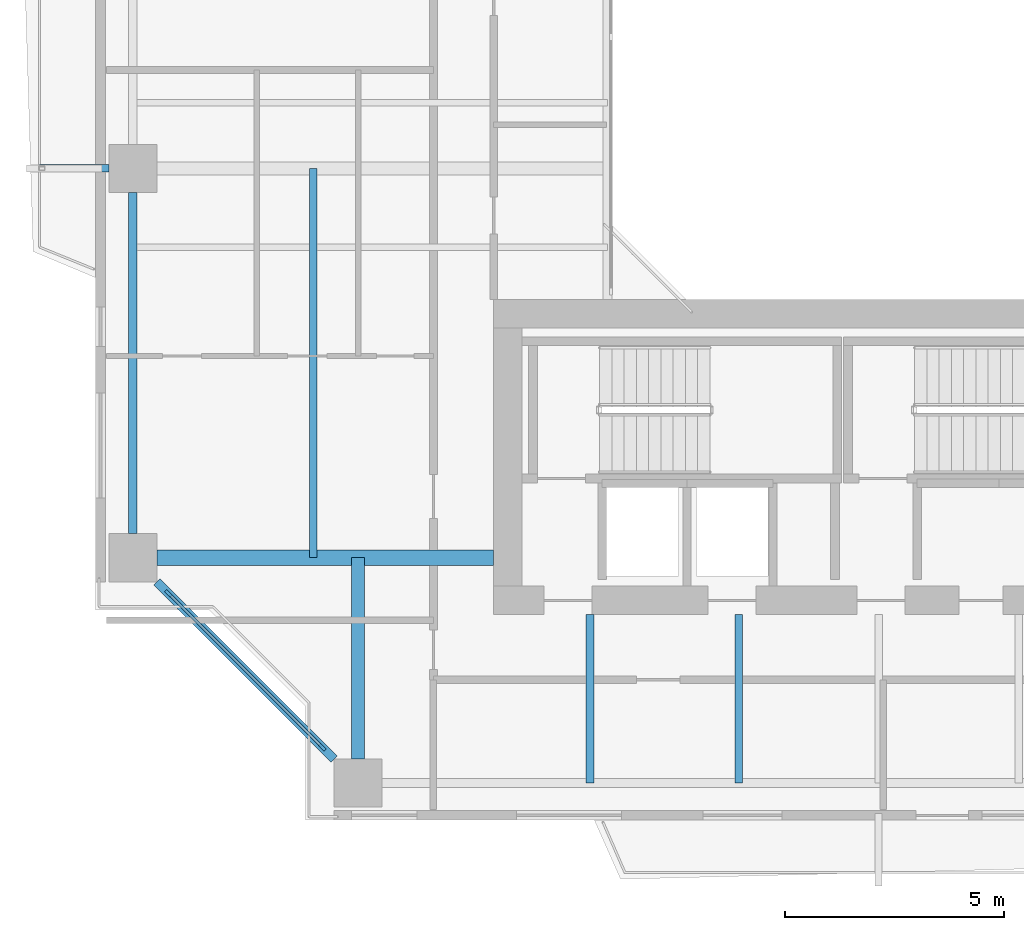
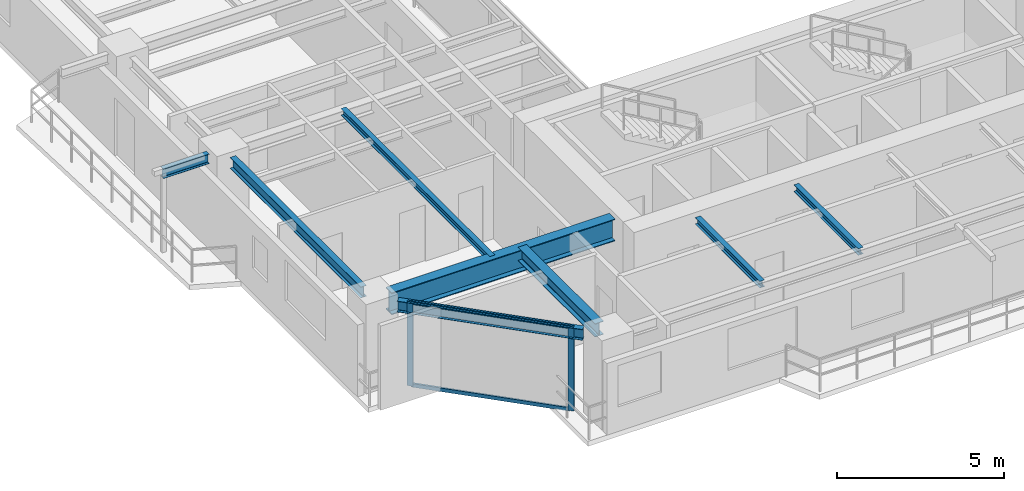
# One storey, part 2 of 23: 8 beams, 4 members, 1 element without a shape of its own.
"""IFC4 building model written with IfcOpenShell, lengths in metres."""

from ifc_helpers import new_model, si_unit, direction, frame, origin, origin_2d, place, context, subcontext, project, spatial, rectangle, i_section, extrude, source, transform, mapped, material, layer, layer_set, material_profile, profile_set, type_object, element, aggregate, save


model = new_model("IFC4")

# Units and contexts
model_context = context("Model", 3, precision=1e-05, world=origin(), true_north=direction((0.0, 1.0)))
body_context = subcontext(model_context, "Body", "Model", "MODEL_VIEW")
ifc_project = project(units=[si_unit("LENGTHUNIT", "METRE"), si_unit("AREAUNIT", "SQUARE_METRE"), si_unit("VOLUMEUNIT", "CUBIC_METRE"), si_unit("PLANEANGLEUNIT", "RADIAN"), si_unit("MASSUNIT", "GRAM", prefix="KILO"), si_unit("THERMODYNAMICTEMPERATUREUNIT", "KELVIN"), si_unit("POWERUNIT", "WATT")], contexts=[model_context])

# Site, building, storey
site_placement = place(None, origin())
site = spatial("IfcSite", under=ifc_project, at=site_placement, CompositionType="ELEMENT")
building_placement = place(site_placement, origin())
building = spatial("IfcBuilding", under=site, at=building_placement, Name="Qiaomeng Ring Towers", CompositionType="ELEMENT")
storey_placement = place(building_placement, frame((0.0, 0.0, 100.25)))
storey = spatial("IfcBuildingStorey", under=building, at=storey_placement, Name="L28", CompositionType="ELEMENT", Elevation=100.25)

# Beams
ifc_material_1 = material(Name="Steel Q355B", Category="steel")
ifc_material_profile_1 = material_profile(ifc_material_1, i_section(OverallWidth=0.199951171875, OverallDepth=0.39990234375, WebThickness=0.008056640625, FlangeThickness=0.012939453125, FilletRadius=0.01611328125, at=origin_2d()), Name="HN 400x200x8x13")
ifc_profile_set_1 = profile_set([ifc_material_profile_1], Name="Steel Q355B")
beam_type_1 = type_object("IfcBeamType", Name="STR-BM-HN400", PredefinedType="SPANDREL", material=ifc_profile_set_1)
shared_shape_1 = source(origin(), body_context, "Body", "SweptSolid", [
    extrude(i_section(OverallWidth=0.199951171875, OverallDepth=0.39990234375, WebThickness=0.008056640625, FlangeThickness=0.012939453125, FilletRadius=0.01611328125, at=origin_2d()), origin(), (0.0, 0.0, 1.0), 5.729736328125),
])
beam_1_placement = place(storey_placement, frame((2.499267578125, 10.55078125, 2.8701171875), z_axis=(0.707106781187, -0.707106781187, 0.0), x_axis=(0.707106781187, 0.707106781187, 0.0)))
element("IfcBeam", 1, at=beam_1_placement, inside=storey, type_object=beam_type_1, Name="L28 beam STR-SP-L28-T1-W1-S1", PredefinedType="SPANDREL", context=body_context, shape_type="MappedRepresentation", body=[
    mapped(shared_shape_1, transform((0.0, 0.0, 0.0), x_axis=(1.0, 0.0, 0.0), y_axis=(0.0, 1.0, 0.0), z_axis=(0.0, 0.0, 1.0), scale=1.0)),
])
shared_shape_2 = source(origin(), body_context, "Body", "SweptSolid", [
    extrude(i_section(OverallWidth=0.199951171875, OverallDepth=0.39990234375, WebThickness=0.008056640625, FlangeThickness=0.012939453125, FilletRadius=0.01611328125, at=origin_2d()), origin(), (0.0, 0.0, 1.0), 7.802001953125),
])
beam_2_placement = place(storey_placement, frame((1.949951171875, 19.450927734375, 2.8701171875), z_axis=(0.0, -1.0, 0.0), x_axis=(1.0, 0.0, 0.0)))
element("IfcBeam", 2, at=beam_2_placement, inside=storey, type_object=beam_type_1, Name="L28 beam STR-SP-L28-T1-W2-W1", PredefinedType="SPANDREL", context=body_context, shape_type="MappedRepresentation", body=[
    mapped(shared_shape_2, transform((0.0, 0.0, 0.0), x_axis=(1.0, 0.0, 0.0), y_axis=(0.0, 1.0, 0.0), z_axis=(0.0, 0.0, 1.0), scale=1.0)),
])
ifc_material_2 = material(Name="Steel Q390GJC", Category="steel")
ifc_material_profile_2 = material_profile(ifc_material_2, i_section(OverallWidth=0.35009765625, OverallDepth=0.800048828125, WebThickness=0.01611328125, FlangeThickness=0.028076171875, at=origin_2d()), Name="WH 800x350x16x28")
ifc_profile_set_2 = profile_set([ifc_material_profile_2], Name="Steel Q390GJC")
beam_type_2 = type_object("IfcBeamType", Name="STR-BM-WH800", PredefinedType="BEAM", material=ifc_profile_set_2)
shared_shape_3 = source(origin(), body_context, "Body", "SweptSolid", [
    extrude(i_section(OverallWidth=0.35009765625, OverallDepth=0.800048828125, WebThickness=0.01611328125, FlangeThickness=0.028076171875, at=origin_2d()), origin(), (0.0, 0.0, 1.0), 7.700927734375),
])
beam_3_placement = place(storey_placement, frame((2.4990234375, 11.10009765625, 2.669921875), z_axis=(1.0, 0.0, 0.0), x_axis=(0.0, 1.0, 0.0)))
element("IfcBeam", 3, at=beam_3_placement, inside=storey, type_object=beam_type_2, Name="L28 beam STR-BM-L28-T1-RAD-W1", PredefinedType="BEAM", context=body_context, shape_type="MappedRepresentation", body=[
    mapped(shared_shape_3, transform((0.0, 0.0, 0.0), x_axis=(1.0, 0.0, 0.0), y_axis=(0.0, 1.0, 0.0), z_axis=(0.0, 0.0, 1.0), scale=1.0)),
])
ifc_material_profile_3 = material_profile(ifc_material_1, i_section(OverallWidth=0.300048828125, OverallDepth=0.488037109375, WebThickness=0.010986328125, FlangeThickness=0.01806640625, FilletRadius=0.02587890625, at=origin_2d()), Name="HM 488x300x11x18")
ifc_profile_set_3 = profile_set([ifc_material_profile_3], Name="Steel Q355B")
beam_type_3 = type_object("IfcBeamType", Name="STR-BM-HM488", PredefinedType="BEAM", material=ifc_profile_set_3)
shared_shape_4 = source(origin(), body_context, "Body", "SweptSolid", [
    extrude(i_section(OverallWidth=0.300048828125, OverallDepth=0.488037109375, WebThickness=0.010986328125, FlangeThickness=0.01806640625, FilletRadius=0.02587890625, at=origin_2d()), origin(), (0.0, 0.0, 1.0), 4.60107421875),
])
beam_4_placement = place(storey_placement, frame((7.10009765625, 6.4990234375, 2.825927734375), z_axis=(0.0, 1.0, 0.0), x_axis=(-1.0, 0.0, 0.0)))
element("IfcBeam", 4, at=beam_4_placement, inside=storey, type_object=beam_type_3, Name="L28 beam STR-BM-L28-T1-RAD-S1", PredefinedType="BEAM", context=body_context, shape_type="MappedRepresentation", body=[
    mapped(shared_shape_4, transform((0.0, 0.0, 0.0), x_axis=(1.0, 0.0, 0.0), y_axis=(0.0, 1.0, 0.0), z_axis=(0.0, 0.0, 1.0), scale=1.0)),
])
ifc_material_profile_4 = material_profile(ifc_material_1, i_section(OverallWidth=0.175048828125, OverallDepth=0.35009765625, WebThickness=0.007080078125, FlangeThickness=0.010986328125, FilletRadius=0.013916015625, at=origin_2d()), Name="HN 350x175x7x11")
ifc_profile_set_4 = profile_set([ifc_material_profile_4], Name="Steel Q355B")
beam_type_4 = type_object("IfcBeamType", Name="STR-BM-HN350", PredefinedType="JOIST", material=ifc_profile_set_4)
shared_shape_5 = source(origin(), body_context, "Body", "SweptSolid", [
    extrude(i_section(OverallWidth=0.175048828125, OverallDepth=0.35009765625, WebThickness=0.007080078125, FlangeThickness=0.010986328125, FilletRadius=0.013916015625, at=origin_2d()), origin(), (0.0, 0.0, 1.0), 1.580810546875),
])
beam_5_placement = place(storey_placement, frame((-0.179931640625, 20.0, 2.89501953125), z_axis=(1.0, 0.0, 0.0), x_axis=(0.0, 1.0, 0.0)))
element("IfcBeam", 5, at=beam_5_placement, inside=storey, type_object=beam_type_4, Name="L28 beam STR-BALBM-L28-W2", PredefinedType="JOIST", context=body_context, shape_type="MappedRepresentation", body=[
    mapped(shared_shape_5, transform((0.0, 0.0, 0.0), x_axis=(1.0, 0.0, 0.0), y_axis=(0.0, 1.0, 0.0), z_axis=(0.0, 0.0, 1.0), scale=1.0)),
])
ifc_material_profile_5 = material_profile(ifc_material_1, i_section(OverallWidth=0.175048828125, OverallDepth=0.243896484375, WebThickness=0.007080078125, FlangeThickness=0.010986328125, FilletRadius=0.01611328125, at=origin_2d()), Name="HM 244x175x7x11")
ifc_profile_set_5 = profile_set([ifc_material_profile_5], Name="Steel Q355B")
beam_type_5 = type_object("IfcBeamType", Name="STR-BM-HM244", PredefinedType="JOIST", material=ifc_profile_set_5)
shared_shape_6 = source(origin(), body_context, "Body", "SweptSolid", [
    extrude(i_section(OverallWidth=0.175048828125, OverallDepth=0.243896484375, WebThickness=0.007080078125, FlangeThickness=0.010986328125, FilletRadius=0.01611328125, at=origin_2d()), origin(), (0.0, 0.0, 1.0), 3.85009765625),
])
for number, where, z_axis, x_axis, name in (
    (6, (12.39990234375, 5.949951171875, 2.947998046875), (0.0, 1.0, 0.0), (-1.0, 0.0, 0.0), "L28 beam STR-JST-L28-T1S-1"),
    (7, (15.800048828125, 5.949951171875, 2.947998046875), (0.0, 1.0, 0.0), (-1.0, 0.0, 0.0), "L28 beam STR-JST-L28-T1S-2"),
):
    element("IfcBeam", number, at=place(storey_placement, frame(where, z_axis=z_axis, x_axis=x_axis)), inside=storey, type_object=beam_type_5, Name=name, PredefinedType="JOIST", context=body_context, shape_type="MappedRepresentation", body=[
        mapped(shared_shape_6, transform((0.0, 0.0, 0.0), x_axis=(1.0, 0.0, 0.0), y_axis=(0.0, 1.0, 0.0), z_axis=(0.0, 0.0, 1.0), scale=1.0)),
    ])
shared_shape_7 = source(origin(), body_context, "Body", "SweptSolid", [
    extrude(i_section(OverallWidth=0.175048828125, OverallDepth=0.243896484375, WebThickness=0.007080078125, FlangeThickness=0.010986328125, FilletRadius=0.01611328125, at=origin_2d()), origin(), (0.0, 0.0, 1.0), 8.89990234375),
])
beam_6_placement = place(storey_placement, frame((6.074951171875, 11.10009765625, 2.947998046875), z_axis=(0.0, 1.0, 0.0), x_axis=(-1.0, 0.0, 0.0)))
element("IfcBeam", 8, at=beam_6_placement, inside=storey, type_object=beam_type_5, Name="L28 beam STR-JST-L28-T1C-WS", PredefinedType="JOIST", context=body_context, shape_type="MappedRepresentation", body=[
    mapped(shared_shape_7, transform((0.0, 0.0, 0.0), x_axis=(1.0, 0.0, 0.0), y_axis=(0.0, 1.0, 0.0), z_axis=(0.0, 0.0, 1.0), scale=1.0)),
])

# Curtain wall, members
ifc_material_3 = material(Name="Fluorocarbon dark-grey aluminium", Category="aluminium")
ifc_layer = layer(ifc_material_3, 0.14990234375, Name="Fluorocarbon dark-grey aluminium")
ifc_layer_set = layer_set([ifc_layer], Name="Fluorocarbon dark-grey aluminium")
curtain_wall_type = type_object("IfcCurtainWallType", Name="ARC-CW-3", PredefinedType="NOTDEFINED", material=ifc_layer_set)
curtain_wall_placement = place(storey_placement, origin())
curtain_wall = element("IfcCurtainWall", 9, at=curtain_wall_placement, inside=storey, type_object=curtain_wall_type, Name="L28 Curtain Wall CW3", PredefinedType="NOTDEFINED")
ifc_material_profile_6 = material_profile(ifc_material_3, rectangle(XDim=0.070068359375, YDim=0.179931640625, at=origin_2d()), Name="ALU MULL 70x180")
ifc_profile_set_6 = profile_set([ifc_material_profile_6], Name="Fluorocarbon dark-grey aluminium")
member_type_1 = type_object("IfcMemberType", Name="ARC-CWM-160", PredefinedType="MULLION", material=ifc_profile_set_6)
shared_shape_8 = source(origin(), body_context, "Body", "SweptSolid", [
    extrude(rectangle(XDim=0.070068359375, YDim=0.179931640625, at=origin_2d()), origin(), (0.0, 0.0, 1.0), 3.070068359375),
])
member_1_placement = place(storey_placement, frame((2.7646484375, 10.28515625, 0.0), z_axis=(0.0, 0.0, 1.0), x_axis=(0.707106781187, 0.707106781187, 0.0)))
member_1 = element("IfcMember", 10, at=member_1_placement, type_object=member_type_1, Name="CW3 mullion 1", PredefinedType="MULLION", context=body_context, shape_type="MappedRepresentation", body=[
    mapped(shared_shape_8, transform((0.0, 0.0, 0.0), x_axis=(1.0, 0.0, 0.0), y_axis=(0.0, 1.0, 0.0), z_axis=(0.0, 0.0, 1.0), scale=1.0)),
])
member_2_placement = place(storey_placement, frame((6.28515625, 6.7646484375, 0.0), z_axis=(0.0, 0.0, 1.0), x_axis=(0.707106781187, 0.707106781187, 0.0)))
member_2 = element("IfcMember", 11, at=member_2_placement, type_object=member_type_1, Name="CW3 mullion 2", PredefinedType="MULLION", context=body_context, shape_type="MappedRepresentation", body=[
    mapped(shared_shape_8, transform((0.0, 0.0, 0.0), x_axis=(1.0, 0.0, 0.0), y_axis=(0.0, 1.0, 0.0), z_axis=(0.0, 0.0, 1.0), scale=1.0)),
])
ifc_material_profile_7 = material_profile(ifc_material_3, rectangle(XDim=0.06494140625, YDim=0.1298828125, at=origin_2d()), Name="ALU TRAN 65x130")
ifc_profile_set_7 = profile_set([ifc_material_profile_7], Name="Fluorocarbon dark-grey aluminium")
member_type_2 = type_object("IfcMemberType", Name="ARC-CWT-120", PredefinedType="USERDEFINED", material=ifc_profile_set_7)
shared_shape_9 = source(origin(), body_context, "Body", "SweptSolid", [
    extrude(rectangle(XDim=0.06494140625, YDim=0.1298828125, at=origin_2d()), origin(), (0.0, 0.0, 1.0), 4.90869140625),
])
member_3_placement = place(storey_placement, frame((2.78955078125, 10.260498046875, 0.032470703125), z_axis=(0.707106781187, -0.707106781187, 0.0), x_axis=(0.707106781187, 0.707106781187, 0.0)))
member_3 = element("IfcMember", 12, at=member_3_placement, type_object=member_type_2, Name="CW3 transom 1.1", ObjectType="TRANSOM", PredefinedType="USERDEFINED", context=body_context, shape_type="MappedRepresentation", body=[
    mapped(shared_shape_9, transform((0.0, 0.0, 0.0), x_axis=(1.0, 0.0, 0.0), y_axis=(0.0, 1.0, 0.0), z_axis=(0.0, 0.0, 1.0), scale=1.0)),
])
member_4_placement = place(storey_placement, frame((2.78955078125, 10.260498046875, 3.03759765625), z_axis=(0.707106781187, -0.707106781187, 0.0), x_axis=(0.707106781187, 0.707106781187, 0.0)))
member_4 = element("IfcMember", 13, at=member_4_placement, type_object=member_type_2, Name="CW3 transom 1.2", ObjectType="TRANSOM", PredefinedType="USERDEFINED", context=body_context, shape_type="MappedRepresentation", body=[
    mapped(shared_shape_9, transform((0.0, 0.0, 0.0), x_axis=(1.0, 0.0, 0.0), y_axis=(0.0, 1.0, 0.0), z_axis=(0.0, 0.0, 1.0), scale=1.0)),
])
aggregate(curtain_wall, [member_1, member_2, member_3, member_4])

save(model, "model.ifc")
